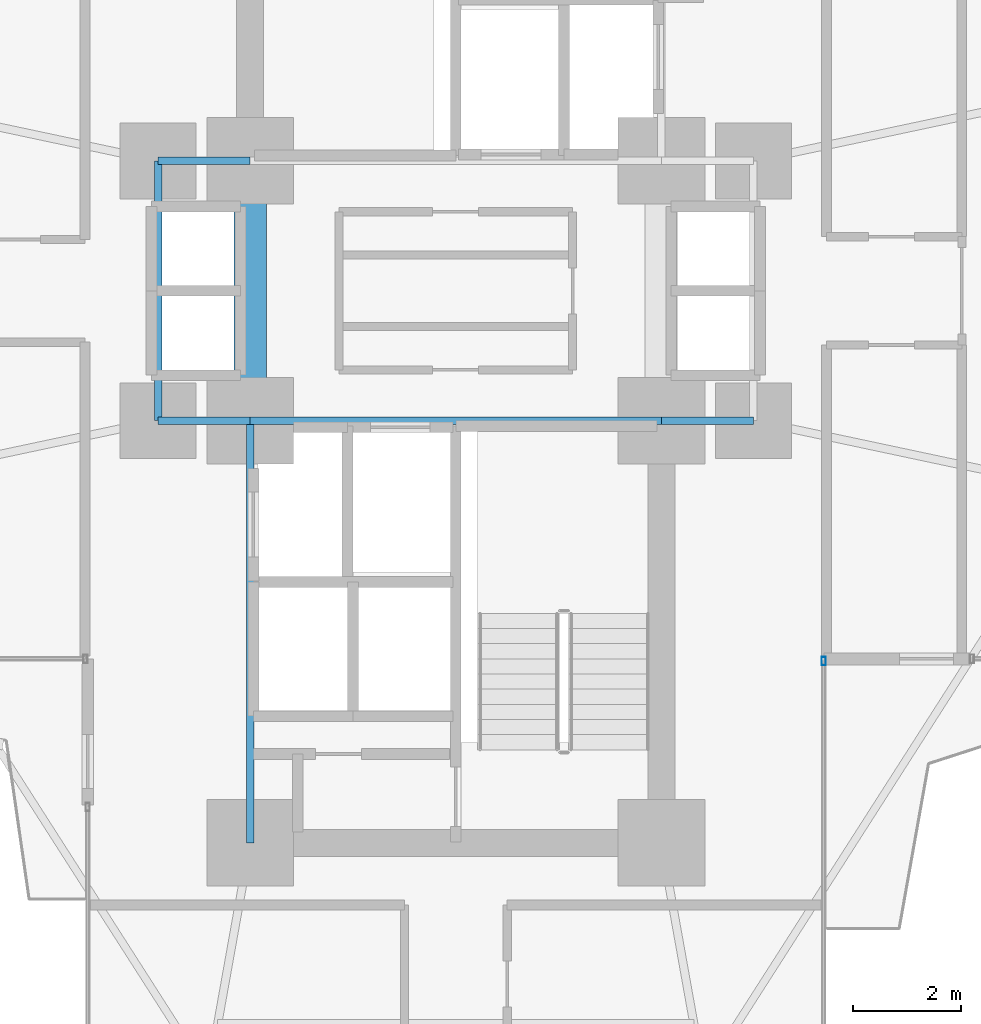
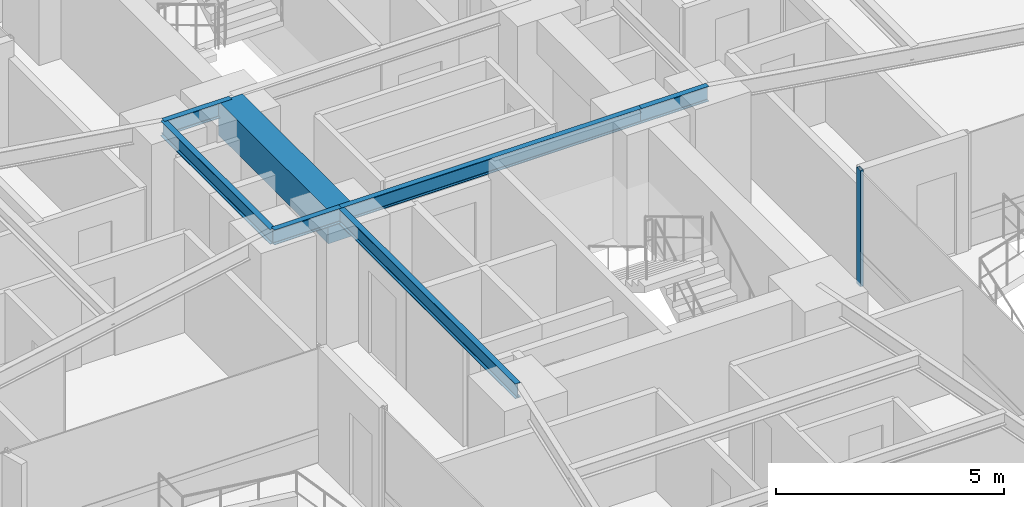
# One storey, part 11 of 25: 7 beams, 1 member, 1 element without a shape of its own.
"""IFC4 building model written with IfcOpenShell, lengths in metres."""

from ifc_helpers import new_model, si_unit, direction, frame, origin, origin_2d, place, context, subcontext, project, spatial, rectangle, hollow_rectangle, i_section, extrude, source, transform, mapped, material, material_profile, profile_set, type_object, element, aggregate, save


model = new_model("IFC4")

# Units and contexts
model_context = context("Model", 3, precision=1e-05, world=origin(), true_north=direction((0.0, 1.0)))
body_context = subcontext(model_context, "Body", "Model", "MODEL_VIEW")
ifc_project = project(units=[si_unit("LENGTHUNIT", "METRE"), si_unit("AREAUNIT", "SQUARE_METRE"), si_unit("VOLUMEUNIT", "CUBIC_METRE"), si_unit("PLANEANGLEUNIT", "RADIAN"), si_unit("MASSUNIT", "GRAM", prefix="KILO")], contexts=[model_context])

# Site, building, storey
site_placement = place(None, origin())
site = spatial("IfcSite", under=ifc_project, at=site_placement, CompositionType="ELEMENT")
building_placement = place(site_placement, origin())
building = spatial("IfcBuilding", under=site, at=building_placement, Name="Sahyath Konkavel Grand Hotel", CompositionType="ELEMENT")
storey_placement = place(building_placement, frame((0.0, 0.0, 67.800048828125)))
storey = spatial("IfcBuildingStorey", under=building, at=storey_placement, Name="L18", CompositionType="ELEMENT", Elevation=67.800048828125)

# Beams
ifc_material_1 = material(Name="Concrete C70/85", Category="concrete")
ifc_material_profile_1 = material_profile(ifc_material_1, rectangle(XDim=0.60009765625, YDim=0.89990234375, at=origin_2d()), Name="RC 600x900")
ifc_profile_set_1 = profile_set([ifc_material_profile_1], Name="Concrete C70/85")
beam_type_1 = type_object("IfcBeamType", Name="BM-CB600x900", PredefinedType="LINTEL", material=ifc_profile_set_1)
shared_shape_1 = source(origin(), body_context, "Body", "SweptSolid", [
    extrude(rectangle(XDim=0.60009765625, YDim=0.89990234375, at=origin_2d()), origin(), (0.0, 0.0, 1.0), 4.7998046875),
])
beam_1_placement = place(storey_placement, frame((-3.800048828125, -2.39990234375, 2.659912109375), z_axis=(0.0, 1.0, 0.0), x_axis=(-1.0, 0.0, 0.0)))
element("IfcBeam", 1, at=beam_1_placement, inside=storey, type_object=beam_type_1, Name="L18 Split-Core Coupling Beam West", PredefinedType="LINTEL", context=body_context, shape_type="MappedRepresentation", body=[
    mapped(shared_shape_1, transform((0.0, 0.0, 0.0), scale=1.0)),
])
ifc_material_2 = material(Name="Steel E350", Category="steel")
ifc_material_profile_2 = material_profile(ifc_material_2, i_section(OverallWidth=0.139892578125, OverallDepth=0.39990234375, WebThickness=0.0087890625, FlangeThickness=0.01611328125, FilletRadius=0.013916015625, at=origin_2d()), Name="ISMB 400")
ifc_profile_set_2 = profile_set([ifc_material_profile_2], Name="Steel E350")
beam_type_2 = type_object("IfcBeamType", Name="BM-ISMB400", PredefinedType="BEAM", material=ifc_profile_set_2)
shared_shape_2 = source(origin(), body_context, "Body", "SweptSolid", [
    extrude(i_section(OverallWidth=0.139892578125, OverallDepth=0.39990234375, WebThickness=0.0087890625, FlangeThickness=0.01611328125, FilletRadius=0.013916015625, at=origin_2d()), origin(), (0.0, 0.0, 1.0), 7.60009765625),
])
beam_2_placement = place(storey_placement, frame((-3.800048828125, -2.39990234375, 2.909912109375), z_axis=(1.0, 0.0, 0.0), x_axis=(0.0, 1.0, 0.0)))
element("IfcBeam", 2, at=beam_2_placement, inside=storey, type_object=beam_type_2, Name="str:bm:L18:SC-N", PredefinedType="BEAM", context=body_context, shape_type="MappedRepresentation", body=[
    mapped(shared_shape_2, transform((0.0, 0.0, 0.0), scale=1.0)),
])
shared_shape_3 = source(origin(), body_context, "Body", "SweptSolid", [
    extrude(i_section(OverallWidth=0.139892578125, OverallDepth=0.39990234375, WebThickness=0.0087890625, FlangeThickness=0.01611328125, FilletRadius=0.013916015625, at=origin_2d()), origin(), (0.0, 0.0, 1.0), 7.800048828125),
])
beam_3_placement = place(storey_placement, frame((-3.800048828125, -10.199951171875, 2.909912109375), z_axis=(0.0, 1.0, 0.0), x_axis=(-1.0, 0.0, 0.0)))
element("IfcBeam", 3, at=beam_3_placement, inside=storey, type_object=beam_type_2, Name="str:bm:L18:SC-W", PredefinedType="BEAM", context=body_context, shape_type="MappedRepresentation", body=[
    mapped(shared_shape_3, transform((0.0, 0.0, 0.0), scale=1.0)),
])
shared_shape_4 = source(origin(), body_context, "Body", "SweptSolid", [
    extrude(i_section(OverallWidth=0.139892578125, OverallDepth=0.39990234375, WebThickness=0.0087890625, FlangeThickness=0.01611328125, FilletRadius=0.013916015625, at=origin_2d()), origin(), (0.0, 0.0, 1.0), 1.699951171875),
])
for number, where, z_axis, x_axis, name in (
    (4, (-5.5, 2.39990234375, 2.909912109375), (1.0, 0.0, 0.0), (0.0, 1.0, 0.0), "str:bm:L18:HB-NW"),
    (5, (-5.5, -2.39990234375, 2.909912109375), (1.0, 0.0, 0.0), (0.0, 1.0, 0.0), "str:bm:L18:HB-SW"),
    (6, (3.800048828125, -2.39990234375, 2.909912109375), (1.0, 0.0, 0.0), (0.0, 1.0, 0.0), "str:bm:L18:HB-SE"),
):
    element("IfcBeam", number, at=place(storey_placement, frame(where, z_axis=z_axis, x_axis=x_axis)), inside=storey, type_object=beam_type_2, Name=name, PredefinedType="BEAM", context=body_context, shape_type="MappedRepresentation", body=[
        mapped(shared_shape_4, transform((0.0, 0.0, 0.0), scale=1.0)),
    ])
shared_shape_5 = source(origin(), body_context, "Body", "SweptSolid", [
    extrude(i_section(OverallWidth=0.139892578125, OverallDepth=0.39990234375, WebThickness=0.0087890625, FlangeThickness=0.01611328125, FilletRadius=0.013916015625, at=origin_2d()), origin(), (0.0, 0.0, 1.0), 4.7998046875),
])
beam_4_placement = place(storey_placement, frame((-5.5, -2.39990234375, 2.909912109375), z_axis=(0.0, 1.0, 0.0), x_axis=(-1.0, 0.0, 0.0)))
element("IfcBeam", 7, at=beam_4_placement, inside=storey, type_object=beam_type_2, Name="str:bm:L18:HB-W", PredefinedType="BEAM", context=body_context, shape_type="MappedRepresentation", body=[
    mapped(shared_shape_5, transform((0.0, 0.0, 0.0), scale=1.0)),
])

# Curtain wall, member
ifc_material_3 = material(Name="Anodised Bronze Aluminium & Low-E Glazing", Category="aluminium")
curtain_wall_type = type_object("IfcCurtainWallType", Name="CW-ZONE1", PredefinedType="NOTDEFINED", material=ifc_material_3)
curtain_wall_placement = place(storey_placement, origin())
curtain_wall = element("IfcCurtainWall", 8, at=curtain_wall_placement, inside=storey, type_object=curtain_wall_type, Name="L18 Unitised Curtain Wall F31", PredefinedType="NOTDEFINED")
ifc_material_4 = material(Name="Anodised Bronze Aluminium", Category="aluminium")
ifc_material_profile_3 = material_profile(ifc_material_4, hollow_rectangle(XDim=0.080078125, YDim=0.159912109375, WallThickness=0.006103515625, at=origin_2d()), Name="RHS 160x80x6")
ifc_profile_set_3 = profile_set([ifc_material_profile_3], Name="Anodised Bronze Aluminium")
member_type = type_object("IfcMemberType", Name="CW-MUL-160", PredefinedType="MULLION", material=ifc_profile_set_3)
shared_shape_6 = source(origin(), body_context, "Body", "SweptSolid", [
    extrude(hollow_rectangle(XDim=0.080078125, YDim=0.159912109375, WallThickness=0.006103515625, at=origin_2d()), origin(), (0.0, 0.0, 1.0), 3.10986328125),
])
member_placement = place(storey_placement, frame((6.800048828125, -6.840087890625, 0.0), z_axis=(0.0, 0.0, 1.0), x_axis=(1.0, 0.0, 0.0)))
member = element("IfcMember", 9, at=member_placement, type_object=member_type, Name="L18 Curtain Wall Mullion F31-2", PredefinedType="MULLION", context=body_context, shape_type="MappedRepresentation", body=[
    mapped(shared_shape_6, transform((0.0, 0.0, 0.0), scale=1.0)),
])
aggregate(curtain_wall, [member])

save(model, "model.ifc")
